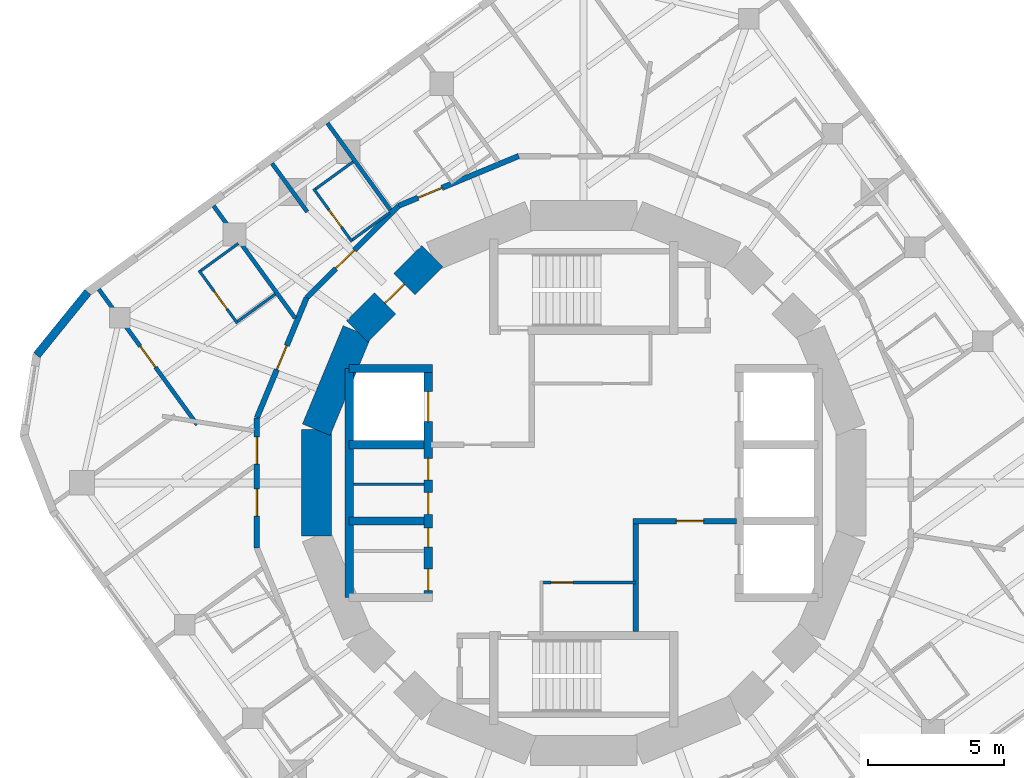
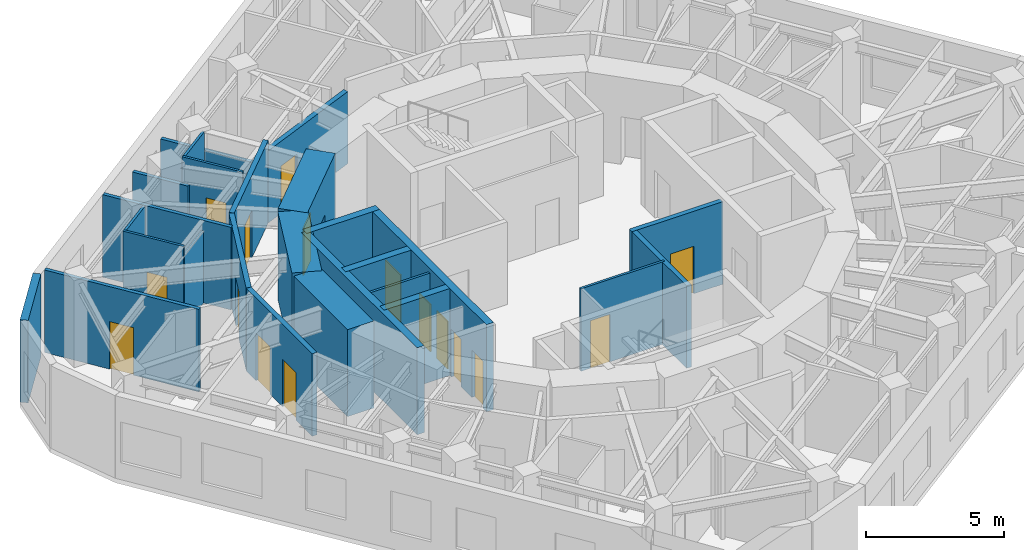
# One storey, part 5 of 9: 27 walls, 16 doors, 16 openings.
"""IFC4 building model written with IfcOpenShell, lengths in metres."""

from ifc_helpers import new_model, si_unit, direction, frame, frame_2d, origin, place, context, subcontext, project, spatial, rectangle, extrude, material, layer, layer_set, type_object, element, fill, save


model = new_model("IFC4")

# Units and contexts
model_context = context("Model", 3, precision=1e-05, world=origin(), true_north=direction((0.0, 1.0)))
body_context = subcontext(model_context, "Body", "Model", "MODEL_VIEW")
ifc_project = project(units=[si_unit("LENGTHUNIT", "METRE"), si_unit("AREAUNIT", "SQUARE_METRE"), si_unit("VOLUMEUNIT", "CUBIC_METRE"), si_unit("PLANEANGLEUNIT", "RADIAN"), si_unit("MASSUNIT", "GRAM", prefix="KILO")], contexts=[model_context])

# Site, building, storey
site_placement = place(None, origin())
site = spatial("IfcSite", under=ifc_project, at=site_placement, CompositionType="ELEMENT")
building_placement = place(site_placement, origin())
building = spatial("IfcBuilding", under=site, at=building_placement, Name="Nakasero Lantern House", CompositionType="ELEMENT")
storey_placement = place(building_placement, frame((0.0, 0.0, 275.300048828125)))
storey = spatial("IfcBuildingStorey", under=building, at=storey_placement, Name="L67", CompositionType="ELEMENT", Elevation=275.300048828125)

# Wall, openings, doors
ifc_material_1 = material(Name="Concrete C50/60", Category="concrete")
ifc_layer_1 = layer(ifc_material_1, 0.300048828125)
ifc_layer_set_1 = layer_set([ifc_layer_1], Name="Core inner wall 300")
wall_type_1 = type_object("IfcWallType", Name="Core inner wall 300", PredefinedType="SHEAR", material=ifc_layer_set_1)
wall_1_placement = place(storey_placement, frame((-5.699951171875, -4.199951171875, 0.0), z_axis=(0.0, 0.0, 1.0), x_axis=(0.0, 1.0, 0.0)))
wall_1 = element("IfcWall", 1, at=wall_1_placement, inside=storey, type_object=wall_type_1, Name="Core inner wall L67 LW", PredefinedType="SHEAR", context=body_context, shape_type="SweptSolid", body=[
    extrude(rectangle(XDim=8.39990234375, YDim=0.300048828125, at=frame_2d((4.199951171875, 0.0))), origin(), (0.0, 0.0, 1.0), 3.849853515625),
])
opening_1_placement = place(wall_1_placement, frame((0.25, 0.0, 0.0)))
opening_1 = element("IfcOpeningElement", 2, at=opening_1_placement, cuts=wall_1, Name="Opening D19", PredefinedType="OPENING", context=body_context, shape_type="SweptSolid", body=[
    extrude(rectangle(XDim=0.800048828125, YDim=2.10009765625, at=frame_2d((0.39990234375, 1.050048828125))), frame((0.0, 0.169921875, 0.0), z_axis=(0.0, -1.0, 0.0), x_axis=(1.0, 0.0, 0.0)), (0.0, 0.0, 1.0), 0.340087890625),
])
opening_2_placement = place(wall_1_placement, frame((1.85009765625, 0.0, 0.0)))
opening_2 = element("IfcOpeningElement", 3, at=opening_2_placement, cuts=wall_1, Name="Opening D20", PredefinedType="OPENING", context=body_context, shape_type="SweptSolid", body=[
    extrude(rectangle(XDim=0.699951171875, YDim=2.10009765625, at=frame_2d((0.35009765625, 1.050048828125))), frame((0.0, 0.169921875, 0.0), z_axis=(0.0, -1.0, 0.0), x_axis=(1.0, 0.0, 0.0)), (0.0, 0.0, 1.0), 0.340087890625),
])
opening_3_placement = place(wall_1_placement, frame((3.050048828125, 0.0, 0.0)))
opening_3 = element("IfcOpeningElement", 4, at=opening_3_placement, cuts=wall_1, Name="Opening D15", PredefinedType="OPENING", context=body_context, shape_type="SweptSolid", body=[
    extrude(rectangle(XDim=0.800048828125, YDim=2.10009765625, at=frame_2d((0.39990234375, 1.050048828125))), frame((0.0, 0.169921875, 0.0), z_axis=(0.0, -1.0, 0.0), x_axis=(1.0, 0.0, 0.0)), (0.0, 0.0, 1.0), 0.340087890625),
])
opening_4_placement = place(wall_1_placement, frame((4.300048828125, 0.0, 0.0)))
opening_4 = element("IfcOpeningElement", 5, at=opening_4_placement, cuts=wall_1, Name="Opening D15", PredefinedType="OPENING", context=body_context, shape_type="SweptSolid", body=[
    extrude(rectangle(XDim=0.800048828125, YDim=2.10009765625, at=frame_2d((0.39990234375, 1.050048828125))), frame((0.0, 0.169921875, 0.0), z_axis=(0.0, -1.0, 0.0), x_axis=(1.0, 0.0, 0.0)), (0.0, 0.0, 1.0), 0.340087890625),
])
opening_5_placement = place(wall_1_placement, frame((6.449951171875, 0.0, 0.0)))
opening_5 = element("IfcOpeningElement", 6, at=opening_5_placement, cuts=wall_1, Name="Opening LD", PredefinedType="OPENING", context=body_context, shape_type="SweptSolid", body=[
    extrude(rectangle(XDim=1.10009765625, YDim=2.10009765625, at=frame_2d((0.550048828125, 1.050048828125))), frame((0.0, 0.169921875, 0.0), z_axis=(0.0, -1.0, 0.0), x_axis=(1.0, 0.0, 0.0)), (0.0, 0.0, 1.0), 0.340087890625),
])
ifc_material_2 = material(Name="Timber C24", Category="wood")
door_type_1 = type_object("IfcDoorType", Name="Cleaner's store door FD30S 700", OperationType="SINGLE_SWING_LEFT", PredefinedType="DOOR", material=ifc_material_2)
door_1_placement = place(opening_2_placement, origin())
door_1 = element("IfcDoor", 7, at=door_1_placement, inside=storey, type_object=door_type_1, Name="Door L67 D-SH-LW1b", OperationType="SINGLE_SWING_LEFT", OverallHeight=2.10009765625, OverallWidth=0.699951171875, PredefinedType="DOOR", context=body_context, shape_type="SweptSolid", body=[
    extrude(rectangle(XDim=0.699951171875, YDim=2.10009765625, at=frame_2d((0.35009765625, 1.050048828125))), frame((0.0, 0.02490234375, 0.0), z_axis=(0.0, -1.0, 0.0), x_axis=(1.0, 0.0, 0.0)), (0.0, 0.0, 1.0), 0.050048828125),
])
fill(opening_2, door_1)
ifc_material_3 = material(Name="Timber C24", Category="wood")
door_type_2 = type_object("IfcDoorType", Name="Cleaner's store door FD30S 800", OperationType="SINGLE_SWING_LEFT", PredefinedType="DOOR", material=ifc_material_3)
door_2_placement = place(opening_3_placement, origin())
door_2 = element("IfcDoor", 8, at=door_2_placement, inside=storey, type_object=door_type_2, Name="Door L67 D-SH-LW2a", OperationType="SINGLE_SWING_LEFT", OverallHeight=2.10009765625, OverallWidth=0.800048828125, PredefinedType="DOOR", context=body_context, shape_type="SweptSolid", body=[
    extrude(rectangle(XDim=0.800048828125, YDim=2.10009765625, at=frame_2d((0.39990234375, 1.050048828125))), frame((0.0, 0.02490234375, 0.0), z_axis=(0.0, -1.0, 0.0), x_axis=(1.0, 0.0, 0.0)), (0.0, 0.0, 1.0), 0.050048828125),
])
fill(opening_3, door_2)
door_3_placement = place(opening_4_placement, origin())
door_3 = element("IfcDoor", 9, at=door_3_placement, inside=storey, type_object=door_type_2, Name="Door L67 D-SH-LW2b", OperationType="SINGLE_SWING_RIGHT", OverallHeight=2.10009765625, OverallWidth=0.800048828125, PredefinedType="DOOR", context=body_context, shape_type="SweptSolid", body=[
    extrude(rectangle(XDim=0.800048828125, YDim=2.10009765625, at=frame_2d((0.39990234375, 1.050048828125))), frame((0.0, 0.02490234375, 0.0), z_axis=(0.0, -1.0, 0.0), x_axis=(1.0, 0.0, 0.0)), (0.0, 0.0, 1.0), 0.050048828125),
])
fill(opening_4, door_3)
ifc_material_4 = material(Name="Steel S355", Category="steel")
door_type_3 = type_object("IfcDoorType", Name="Lift landing door E120 1100", OperationType="SLIDING_TO_LEFT", PredefinedType="DOOR", material=ifc_material_4)
door_4_placement = place(opening_5_placement, origin())
door_4 = element("IfcDoor", 10, at=door_4_placement, inside=storey, type_object=door_type_3, Name="Lift landing door LW3", OperationType="SLIDING_TO_LEFT", OverallHeight=2.10009765625, OverallWidth=1.10009765625, PredefinedType="DOOR", context=body_context, shape_type="SweptSolid", body=[
    extrude(rectangle(XDim=1.10009765625, YDim=2.10009765625, at=frame_2d((0.550048828125, 1.050048828125))), frame((0.0, 0.02490234375, 0.0), z_axis=(0.0, -1.0, 0.0), x_axis=(1.0, 0.0, 0.0)), (0.0, 0.0, 1.0), 0.050048828125),
])
fill(opening_5, door_4)
ifc_material_5 = material(Name="Steel S355", Category="steel")
door_type_4 = type_object("IfcDoorType", Name="Plant room door FD60 800", OperationType="SINGLE_SWING_LEFT", PredefinedType="DOOR", material=ifc_material_5)
door_5_placement = place(opening_1_placement, origin())
door_5 = element("IfcDoor", 11, at=door_5_placement, inside=storey, type_object=door_type_4, Name="Door L67 D-SH-LW1a", OperationType="SINGLE_SWING_LEFT", OverallHeight=2.10009765625, OverallWidth=0.800048828125, PredefinedType="DOOR", context=body_context, shape_type="SweptSolid", body=[
    extrude(rectangle(XDim=0.800048828125, YDim=2.10009765625, at=frame_2d((0.39990234375, 1.050048828125))), frame((0.0, 0.02490234375, 0.0), z_axis=(0.0, -1.0, 0.0), x_axis=(1.0, 0.0, 0.0)), (0.0, 0.0, 1.0), 0.050048828125),
])
fill(opening_1, door_5)

# Walls
wall_2_placement = place(storey_placement, frame((-8.60009765625, 4.199951171875, 0.0), z_axis=(0.0, 0.0, 1.0), x_axis=(1.0, 0.0, 0.0)))
element("IfcWall", 12, at=wall_2_placement, inside=storey, type_object=wall_type_1, Name="Core inner wall L67 LWN", PredefinedType="SHEAR", context=body_context, shape_type="SweptSolid", body=[
    extrude(rectangle(XDim=3.050048828125, YDim=0.300048828125, at=frame_2d((1.52490234375, 0.0))), origin(), (0.0, 0.0, 1.0), 3.849853515625),
])
wall_3_placement = place(storey_placement, frame((-8.60009765625, -4.199951171875, 0.0), z_axis=(0.0, 0.0, 1.0), x_axis=(0.0, 1.0, 0.0)))
element("IfcWall", 13, at=wall_3_placement, inside=storey, type_object=wall_type_1, Name="Core inner wall L67 LWB", PredefinedType="SHEAR", context=body_context, shape_type="SweptSolid", body=[
    extrude(rectangle(XDim=8.39990234375, YDim=0.300048828125, at=frame_2d((4.199951171875, 0.0))), origin(), (0.0, 0.0, 1.0), 3.849853515625),
])
for number, where, z_axis, x_axis, name in (
    (14, (-8.60009765625, -1.39990234375, 0.0), (0.0, 0.0, 1.0), (1.0, 0.0, 0.0), "Core inner wall L67 LW1"),
    (15, (-8.60009765625, 1.39990234375, 0.0), (0.0, 0.0, 1.0), (1.0, 0.0, 0.0), "Core inner wall L67 LW2"),
):
    element("IfcWall", number, at=place(storey_placement, frame(where, z_axis=z_axis, x_axis=x_axis)), inside=storey, type_object=wall_type_1, Name=name, PredefinedType="SHEAR", context=body_context, shape_type="SweptSolid", body=[
        extrude(rectangle(XDim=2.75, YDim=0.300048828125, at=frame_2d((1.375, 0.0))), origin(), (0.0, 0.0, 1.0), 3.849853515625),
    ])

# Wall, opening, door
ifc_material_6 = material(Name="Blockwork", Category="masonry")
ifc_layer_2 = layer(ifc_material_6, 0.10009765625)
ifc_layer_set_2 = layer_set([ifc_layer_2], Name="Core room wall 100")
wall_type_2 = type_object("IfcWallType", Name="Core room wall 100", PredefinedType="PARTITIONING", material=ifc_layer_set_2)
wall_4_placement = place(storey_placement, frame((-1.60009765625, -3.64990234375, 0.0), z_axis=(0.0, 0.0, 1.0), x_axis=(1.0, 0.0, 0.0)))
wall_4 = element("IfcWall", 16, at=wall_4_placement, inside=storey, type_object=wall_type_2, Name="Core room wall L67 CR-SWN", PredefinedType="PARTITIONING", context=body_context, shape_type="SweptSolid", body=[
    extrude(rectangle(XDim=3.5, YDim=0.10009765625, at=frame_2d((1.75, 0.0))), origin(), (0.0, 0.0, 1.0), 3.64990234375),
])
opening_6_placement = place(wall_4_placement, frame((0.39990234375, 0.0, 0.0)))
opening_6 = element("IfcOpeningElement", 17, at=opening_6_placement, cuts=wall_4, Name="Opening D15", PredefinedType="OPENING", context=body_context, shape_type="SweptSolid", body=[
    extrude(rectangle(XDim=0.800048828125, YDim=2.10009765625, at=frame_2d((0.39990234375, 1.050048828125))), frame((0.0, 0.070068359375, 0.0), z_axis=(0.0, -1.0, 0.0), x_axis=(1.0, 0.0, 0.0)), (0.0, 0.0, 1.0), 0.14013671875),
])
door_6_placement = place(opening_6_placement, origin())
door_6 = element("IfcDoor", 18, at=door_6_placement, inside=storey, type_object=door_type_2, Name="Door L67 D-CR-SW", OperationType="SINGLE_SWING_LEFT", OverallHeight=2.10009765625, OverallWidth=0.800048828125, PredefinedType="DOOR", context=body_context, shape_type="SweptSolid", body=[
    extrude(rectangle(XDim=0.800048828125, YDim=2.10009765625, at=frame_2d((0.39990234375, 1.050048828125))), frame((0.0, 0.02490234375, 0.0), z_axis=(0.0, -1.0, 0.0), x_axis=(1.0, 0.0, 0.0)), (0.0, 0.0, 1.0), 0.050048828125),
])
fill(opening_6, door_6)

# Wall
wall_5_placement = place(storey_placement, frame((-8.449951171875, -0.050048828125, 0.0), z_axis=(0.0, 0.0, 1.0), x_axis=(1.0, 0.0, 0.0)))
element("IfcWall", 19, at=wall_5_placement, inside=storey, type_object=wall_type_2, Name="Core room wall L67 CR-SH-LW2b", PredefinedType="PARTITIONING", context=body_context, shape_type="SweptSolid", body=[
    extrude(rectangle(XDim=2.599853515625, YDim=0.10009765625, at=frame_2d((1.2998046875, 0.0))), origin(), (0.0, 0.0, 1.0), 3.64990234375),
])

# Wall, opening, door
ifc_material_7 = material(Name="Concrete C50/60", Category="concrete")
ifc_layer_3 = layer(ifc_material_7, 1.10009765625)
ifc_layer_set_3 = layer_set([ifc_layer_3], Name="Core wall 1100")
wall_type_3 = type_object("IfcWallType", Name="Core wall 1100", PredefinedType="SHEAR", material=ifc_layer_set_3)
wall_6_placement = place(storey_placement, frame((-5.5556640625, 8.314697265625, 0.0), z_axis=(0.0, 0.0, 1.0), x_axis=(-0.707106781187, -0.707106781187, 0.0)))
wall_6 = element("IfcWall", 20, at=wall_6_placement, inside=storey, type_object=wall_type_3, Name="Core wall L67 facet 6", PredefinedType="SHEAR", context=body_context, shape_type="SweptSolid", body=[
    extrude(rectangle(XDim=3.90185546875, YDim=1.10009765625, at=frame_2d((1.950927734375, 0.0))), origin(), (0.0, 0.0, 1.0), 3.849853515625),
])
opening_7_placement = place(wall_6_placement, frame((1.450927734375, 0.0, 0.0)))
opening_7 = element("IfcOpeningElement", 21, at=opening_7_placement, cuts=wall_6, Name="Opening D05", PredefinedType="OPENING", context=body_context, shape_type="SweptSolid", body=[
    extrude(rectangle(XDim=1.0, YDim=2.10009765625, at=frame_2d((0.5, 1.050048828125))), frame((0.0, 0.570068359375, 0.0), z_axis=(0.0, -1.0, 0.0), x_axis=(1.0, 0.0, 0.0)), (0.0, 0.0, 1.0), 1.14013671875),
])
ifc_material_8 = material(Name="Timber C24", Category="wood")
door_type_5 = type_object("IfcDoorType", Name="Core door FD60S 1000", OperationType="SINGLE_SWING_LEFT", PredefinedType="DOOR", material=ifc_material_8)
door_7_placement = place(opening_7_placement, origin())
door_7 = element("IfcDoor", 22, at=door_7_placement, inside=storey, type_object=door_type_5, Name="Door L67 D-CORE06", OperationType="SINGLE_SWING_LEFT", OverallHeight=2.10009765625, OverallWidth=1.0, PredefinedType="DOOR", context=body_context, shape_type="SweptSolid", body=[
    extrude(rectangle(XDim=1.0, YDim=2.10009765625, at=frame_2d((0.5, 1.050048828125))), frame((0.0, 0.02490234375, 0.0), z_axis=(0.0, -1.0, 0.0), x_axis=(1.0, 0.0, 0.0)), (0.0, 0.0, 1.0), 0.050048828125),
])
fill(opening_7, door_7)

# Walls
for number, where, z_axis, x_axis, name in (
    (23, (-8.314697265625, 5.5556640625, 0.0), (0.0, 0.0, 1.0), (-0.382690736062, -0.923876507187, 0.0), "Core wall L67 facet 7"),
    (24, (-9.807861328125, 1.950927734375, 0.0), (0.0, 0.0, 1.0), (0.0, -1.0, 0.0), "Core wall L67 facet 8"),
):
    element("IfcWall", number, at=place(storey_placement, frame(where, z_axis=z_axis, x_axis=x_axis)), inside=storey, type_object=wall_type_3, Name=name, PredefinedType="SHEAR", context=body_context, shape_type="SweptSolid", body=[
        extrude(rectangle(XDim=3.90185546875, YDim=1.10009765625, at=frame_2d((1.950927734375, 0.0))), origin(), (0.0, 0.0, 1.0), 3.849853515625),
    ])

# Wall, openings, doors
ifc_material_9 = material(Name="Blockwork", Category="masonry")
ifc_layer_4 = layer(ifc_material_9, 0.199951171875)
ifc_layer_set_4 = layer_set([ifc_layer_4], Name="Corridor wall 200")
wall_type_4 = type_object("IfcWallType", Name="Corridor wall 200", PredefinedType="PARTITIONING", material=ifc_layer_set_4)
wall_7_placement = place(storey_placement, frame((-11.98779296875, -2.384521484375, 0.0), z_axis=(0.0, 0.0, 1.0), x_axis=(0.0, 1.0, 0.0)))
wall_7 = element("IfcWall", 25, at=wall_7_placement, inside=storey, type_object=wall_type_4, Name="Corridor wall L67 RC08a", PredefinedType="PARTITIONING", context=body_context, shape_type="SweptSolid", body=[
    extrude(rectangle(XDim=4.76904296875, YDim=0.199951171875, at=frame_2d((2.384521484375, 0.0))), origin(), (0.0, 0.0, 1.0), 3.64990234375),
])
opening_8_placement = place(wall_7_placement, frame((3.070068359375, 0.0, 0.0)))
opening_8 = element("IfcOpeningElement", 26, at=opening_8_placement, cuts=wall_7, Name="Opening D03", PredefinedType="OPENING", context=body_context, shape_type="SweptSolid", body=[
    extrude(rectangle(XDim=1.0, YDim=2.10009765625, at=frame_2d((0.5, 1.050048828125))), frame((0.0, 0.119873046875, 0.0), z_axis=(0.0, -1.0, 0.0), x_axis=(1.0, 0.0, 0.0)), (0.0, 0.0, 1.0), 0.239990234375),
])
opening_9_placement = place(wall_7_placement, frame((1.169921875, 0.0, 0.0)))
opening_9 = element("IfcOpeningElement", 27, at=opening_9_placement, cuts=wall_7, Name="Opening D03", PredefinedType="OPENING", context=body_context, shape_type="SweptSolid", body=[
    extrude(rectangle(XDim=1.0, YDim=2.10009765625, at=frame_2d((0.5, 1.050048828125))), frame((0.0, 0.119873046875, 0.0), z_axis=(0.0, -1.0, 0.0), x_axis=(1.0, 0.0, 0.0)), (0.0, 0.0, 1.0), 0.239990234375),
])
ifc_material_10 = material(Name="Timber C24", Category="wood")
door_type_6 = type_object("IfcDoorType", Name="Lounge door FD30S 1000", OperationType="SINGLE_SWING_LEFT", PredefinedType="DOOR", material=ifc_material_10)
door_8_placement = place(opening_8_placement, origin())
door_8 = element("IfcDoor", 28, at=door_8_placement, inside=storey, type_object=door_type_6, Name="Door L67 DK2", OperationType="SINGLE_SWING_RIGHT", OverallHeight=2.10009765625, OverallWidth=1.0, PredefinedType="DOOR", context=body_context, shape_type="SweptSolid", body=[
    extrude(rectangle(XDim=1.0, YDim=2.10009765625, at=frame_2d((0.5, 1.050048828125))), frame((0.0, 0.02490234375, 0.0), z_axis=(0.0, -1.0, 0.0), x_axis=(1.0, 0.0, 0.0)), (0.0, 0.0, 1.0), 0.050048828125),
])
fill(opening_8, door_8)
door_9_placement = place(opening_9_placement, origin())
door_9 = element("IfcDoor", 29, at=door_9_placement, inside=storey, type_object=door_type_6, Name="Door L67 DK2-1", OperationType="SINGLE_SWING_LEFT", OverallHeight=2.10009765625, OverallWidth=1.0, PredefinedType="DOOR", context=body_context, shape_type="SweptSolid", body=[
    extrude(rectangle(XDim=1.0, YDim=2.10009765625, at=frame_2d((0.5, 1.050048828125))), frame((0.0, 0.02490234375, 0.0), z_axis=(0.0, -1.0, 0.0), x_axis=(1.0, 0.0, 0.0)), (0.0, 0.0, 1.0), 0.050048828125),
])
fill(opening_9, door_9)

# Wall, opening, door
wall_8_placement = place(storey_placement, frame((-11.98779296875, 2.384521484375, 0.0), z_axis=(0.0, 0.0, 1.0), x_axis=(0.382669792111, 0.923885182372, 0.0)))
wall_8 = element("IfcWall", 30, at=wall_8_placement, inside=storey, type_object=wall_type_4, Name="Corridor wall L67 RC09a", PredefinedType="PARTITIONING", context=body_context, shape_type="SweptSolid", body=[
    extrude(rectangle(XDim=4.76904296875, YDim=0.199951171875, at=frame_2d((2.384521484375, 0.0))), origin(), (0.0, 0.0, 1.0), 3.64990234375),
])
opening_10_placement = place(wall_8_placement, frame((1.919921875, 0.0, 0.0)))
opening_10 = element("IfcOpeningElement", 31, at=opening_10_placement, cuts=wall_8, Name="Opening D01", PredefinedType="OPENING", context=body_context, shape_type="SweptSolid", body=[
    extrude(rectangle(XDim=0.949951171875, YDim=2.10009765625, at=frame_2d((0.47509765625, 1.050048828125))), frame((0.0, 0.119873046875, 0.0), z_axis=(0.0, -1.0, 0.0), x_axis=(1.0, 0.0, 0.0)), (0.0, 0.0, 1.0), 0.239990234375),
])
ifc_material_11 = material(Name="Timber C24", Category="wood")
door_type_7 = type_object("IfcDoorType", Name="Bedroom door FD30S 950", OperationType="SINGLE_SWING_LEFT", PredefinedType="DOOR", material=ifc_material_11)
door_10_placement = place(opening_10_placement, origin())
door_10 = element("IfcDoor", 32, at=door_10_placement, inside=storey, type_object=door_type_7, Name="Door L67 D1-06", OperationType="SINGLE_SWING_RIGHT", OverallHeight=2.10009765625, OverallWidth=0.949951171875, PredefinedType="DOOR", context=body_context, shape_type="SweptSolid", body=[
    extrude(rectangle(XDim=0.949951171875, YDim=2.10009765625, at=frame_2d((0.47509765625, 1.050048828125))), frame((0.0, 0.02490234375, 0.0), z_axis=(0.0, -1.0, 0.0), x_axis=(1.0, 0.0, 0.0)), (0.0, 0.0, 1.0), 0.050048828125),
])
fill(opening_10, door_10)

wall_9_placement = place(storey_placement, frame((-10.162841796875, 6.79052734375, 0.0), z_axis=(0.0, 0.0, 1.0), x_axis=(0.707106781187, 0.707106781187, 0.0)))
wall_9 = element("IfcWall", 33, at=wall_9_placement, inside=storey, type_object=wall_type_4, Name="Corridor wall L67 RC10a", PredefinedType="PARTITIONING", context=body_context, shape_type="SweptSolid", body=[
    extrude(rectangle(XDim=4.769287109375, YDim=0.199951171875, at=frame_2d((2.384765625, 0.0))), origin(), (0.0, 0.0, 1.0), 3.64990234375),
])
opening_11_placement = place(wall_9_placement, frame((1.52001953125, 0.0, 0.0)))
opening_11 = element("IfcOpeningElement", 34, at=opening_11_placement, cuts=wall_9, Name="Opening D01", PredefinedType="OPENING", context=body_context, shape_type="SweptSolid", body=[
    extrude(rectangle(XDim=0.949951171875, YDim=2.10009765625, at=frame_2d((0.47509765625, 1.050048828125))), frame((0.0, 0.119873046875, 0.0), z_axis=(0.0, -1.0, 0.0), x_axis=(1.0, 0.0, 0.0)), (0.0, 0.0, 1.0), 0.239990234375),
])
door_11_placement = place(opening_11_placement, origin())
door_11 = element("IfcDoor", 35, at=door_11_placement, inside=storey, type_object=door_type_7, Name="Door L67 D1-04", OperationType="SINGLE_SWING_LEFT", OverallHeight=2.10009765625, OverallWidth=0.949951171875, PredefinedType="DOOR", context=body_context, shape_type="SweptSolid", body=[
    extrude(rectangle(XDim=0.949951171875, YDim=2.10009765625, at=frame_2d((0.47509765625, 1.050048828125))), frame((0.0, 0.02490234375, 0.0), z_axis=(0.0, -1.0, 0.0), x_axis=(1.0, 0.0, 0.0)), (0.0, 0.0, 1.0), 0.050048828125),
])
fill(opening_11, door_11)

wall_10_placement = place(storey_placement, frame((-6.79052734375, 10.162841796875, 0.0), z_axis=(0.0, 0.0, 1.0), x_axis=(0.923885182372, 0.382669792111, 0.0)))
wall_10 = element("IfcWall", 36, at=wall_10_placement, inside=storey, type_object=wall_type_4, Name="Corridor wall L67 RC11a", PredefinedType="PARTITIONING", context=body_context, shape_type="SweptSolid", body=[
    extrude(rectangle(XDim=4.76904296875, YDim=0.199951171875, at=frame_2d((2.384521484375, 0.0))), origin(), (0.0, 0.0, 1.0), 3.18994140625),
])
opening_12_placement = place(wall_10_placement, frame((0.77001953125, 0.0, 0.0)))
opening_12 = element("IfcOpeningElement", 37, at=opening_12_placement, cuts=wall_10, Name="Opening D01", PredefinedType="OPENING", context=body_context, shape_type="SweptSolid", body=[
    extrude(rectangle(XDim=0.949951171875, YDim=2.10009765625, at=frame_2d((0.47509765625, 1.050048828125))), frame((0.0, 0.119873046875, 0.0), z_axis=(0.0, -1.0, 0.0), x_axis=(1.0, 0.0, 0.0)), (0.0, 0.0, 1.0), 0.239990234375),
])
door_12_placement = place(opening_12_placement, origin())
door_12 = element("IfcDoor", 38, at=door_12_placement, inside=storey, type_object=door_type_7, Name="Door L67 D1-03", OperationType="SINGLE_SWING_LEFT", OverallHeight=2.10009765625, OverallWidth=0.949951171875, PredefinedType="DOOR", context=body_context, shape_type="SweptSolid", body=[
    extrude(rectangle(XDim=0.949951171875, YDim=2.10009765625, at=frame_2d((0.47509765625, 1.050048828125))), frame((0.0, 0.02490234375, 0.0), z_axis=(0.0, -1.0, 0.0), x_axis=(1.0, 0.0, 0.0)), (0.0, 0.0, 1.0), 0.050048828125),
])
fill(opening_12, door_12)

ifc_material_12 = material(Name="Blockwork", Category="masonry")
ifc_layer_5 = layer(ifc_material_12, 0.10009765625)
ifc_layer_set_5 = layer_set([ifc_layer_5], Name="En-suite wall 100")
wall_type_5 = type_object("IfcWallType", Name="En-suite wall 100", PredefinedType="PARTITIONING", material=ifc_layer_set_5)
wall_11_placement = place(storey_placement, frame((-8.495849609375, 8.846435546875, 0.0), z_axis=(0.0, 0.0, 1.0), x_axis=(-0.587772420479, 0.809026317077, 0.0)))
wall_11 = element("IfcWall", 39, at=wall_11_placement, inside=storey, type_object=wall_type_5, Name="En-suite wall L67 ES1-04", PredefinedType="PARTITIONING", context=body_context, shape_type="SweptSolid", body=[
    extrude(rectangle(XDim=2.39990234375, YDim=0.10009765625, at=frame_2d((1.199951171875, 0.0))), origin(), (0.0, 0.0, 1.0), 3.64990234375),
])
opening_13_placement = place(wall_11_placement, frame((0.64990234375, 0.0, 0.0)))
opening_13 = element("IfcOpeningElement", 40, at=opening_13_placement, cuts=wall_11, Name="Opening D02", PredefinedType="OPENING", context=body_context, shape_type="SweptSolid", body=[
    extrude(rectangle(XDim=0.800048828125, YDim=2.10009765625, at=frame_2d((0.39990234375, 1.050048828125))), frame((0.0, 0.070068359375, 0.0), z_axis=(0.0, -1.0, 0.0), x_axis=(1.0, 0.0, 0.0)), (0.0, 0.0, 1.0), 0.14013671875),
])
ifc_material_13 = material(Name="Timber C24", Category="wood")
door_type_8 = type_object("IfcDoorType", Name="En-suite door 800", OperationType="SINGLE_SWING_RIGHT", PredefinedType="DOOR", material=ifc_material_13)
door_13_placement = place(opening_13_placement, origin())
door_13 = element("IfcDoor", 41, at=door_13_placement, inside=storey, type_object=door_type_8, Name="Door L67 DE1-04", OperationType="SINGLE_SWING_LEFT", OverallHeight=2.10009765625, OverallWidth=0.800048828125, PredefinedType="DOOR", context=body_context, shape_type="SweptSolid", body=[
    extrude(rectangle(XDim=0.800048828125, YDim=2.10009765625, at=frame_2d((0.39990234375, 1.050048828125))), frame((0.0, 0.02490234375, 0.0), z_axis=(0.0, -1.0, 0.0), x_axis=(1.0, 0.0, 0.0)), (0.0, 0.0, 1.0), 0.050048828125),
])
fill(opening_13, door_13)

# Walls
wall_12_placement = place(storey_placement, frame((-8.461181640625, 11.7763671875, 0.0), z_axis=(0.0, 0.0, 1.0), x_axis=(-0.809040252033, -0.58775323954, 0.0)))
element("IfcWall", 42, at=wall_12_placement, inside=storey, type_object=wall_type_5, Name="En-suite wall L67 EE1-04", PredefinedType="PARTITIONING", context=body_context, shape_type="SweptSolid", body=[
    extrude(rectangle(XDim=1.7001953125, YDim=0.10009765625, at=frame_2d((0.85009765625, 0.0))), origin(), (0.0, 0.0, 1.0), 3.64990234375),
])
wall_13_placement = place(storey_placement, frame((-7.109375, 9.91552734375, 0.0), z_axis=(0.0, 0.0, 1.0), x_axis=(-0.808990636343, -0.587821529301, 0.0)))
element("IfcWall", 43, at=wall_13_placement, inside=storey, type_object=wall_type_5, Name="En-suite wall L67 EI1-04", PredefinedType="PARTITIONING", context=body_context, shape_type="SweptSolid", body=[
    extrude(rectangle(XDim=1.699951171875, YDim=0.10009765625, at=frame_2d((0.85009765625, 0.0))), origin(), (0.0, 0.0, 1.0), 3.18994140625),
])

# Wall, opening, door
wall_14_placement = place(storey_placement, frame((-12.7001953125, 5.852783203125, 0.0), z_axis=(0.0, 0.0, 1.0), x_axis=(-0.587772420479, 0.809026317077, 0.0)))
wall_14 = element("IfcWall", 44, at=wall_14_placement, inside=storey, type_object=wall_type_5, Name="En-suite wall L67 ES1-06", PredefinedType="PARTITIONING", context=body_context, shape_type="SweptSolid", body=[
    extrude(rectangle(XDim=2.39990234375, YDim=0.10009765625, at=frame_2d((1.199951171875, 0.0))), origin(), (0.0, 0.0, 1.0), 3.64990234375),
])
opening_14_placement = place(wall_14_placement, frame((0.64990234375, 0.0, 0.0)))
opening_14 = element("IfcOpeningElement", 45, at=opening_14_placement, cuts=wall_14, Name="Opening D02", PredefinedType="OPENING", context=body_context, shape_type="SweptSolid", body=[
    extrude(rectangle(XDim=0.800048828125, YDim=2.10009765625, at=frame_2d((0.39990234375, 1.050048828125))), frame((0.0, 0.070068359375, 0.0), z_axis=(0.0, -1.0, 0.0), x_axis=(1.0, 0.0, 0.0)), (0.0, 0.0, 1.0), 0.14013671875),
])
door_14_placement = place(opening_14_placement, origin())
door_14 = element("IfcDoor", 46, at=door_14_placement, inside=storey, type_object=door_type_8, Name="Door L67 DE1-06", OperationType="SINGLE_SWING_LEFT", OverallHeight=2.10009765625, OverallWidth=0.800048828125, PredefinedType="DOOR", context=body_context, shape_type="SweptSolid", body=[
    extrude(rectangle(XDim=0.800048828125, YDim=2.10009765625, at=frame_2d((0.39990234375, 1.050048828125))), frame((0.0, 0.02490234375, 0.0), z_axis=(0.0, -1.0, 0.0), x_axis=(1.0, 0.0, 0.0)), (0.0, 0.0, 1.0), 0.050048828125),
])
fill(opening_14, door_14)

# Walls
wall_15_placement = place(storey_placement, frame((-12.665771484375, 8.78271484375, 0.0), z_axis=(0.0, 0.0, 1.0), x_axis=(-0.808990636343, -0.587821529301, 0.0)))
element("IfcWall", 47, at=wall_15_placement, inside=storey, type_object=wall_type_5, Name="En-suite wall L67 EE1-06", PredefinedType="PARTITIONING", context=body_context, shape_type="SweptSolid", body=[
    extrude(rectangle(XDim=1.699951171875, YDim=0.10009765625, at=frame_2d((0.85009765625, 0.0))), origin(), (0.0, 0.0, 1.0), 3.64990234375),
])
wall_16_placement = place(storey_placement, frame((-11.313720703125, 6.921875, 0.0), z_axis=(0.0, 0.0, 1.0), x_axis=(-0.809040252033, -0.58775323954, 0.0)))
element("IfcWall", 48, at=wall_16_placement, inside=storey, type_object=wall_type_5, Name="En-suite wall L67 EI1-06", PredefinedType="PARTITIONING", context=body_context, shape_type="SweptSolid", body=[
    extrude(rectangle(XDim=1.7001953125, YDim=0.10009765625, at=frame_2d((0.85009765625, 0.0))), origin(), (0.0, 0.0, 1.0), 3.18994140625),
])
ifc_material_14 = material(Name="Aluminium rainscreen on blockwork", Category="masonry")
ifc_layer_6 = layer(ifc_material_14, 0.300048828125)
ifc_layer_set_6 = layer_set([ifc_layer_6], Name="Facade wall 300")
wall_type_6 = type_object("IfcWallType", Name="Facade wall 300", PredefinedType="SOLIDWALL", material=ifc_layer_set_6)
wall_17_placement = place(storey_placement, frame((-18.185791015625, 6.996826171875, 0.0), z_axis=(0.0, 0.0, 1.0), x_axis=(-0.629375183362, -0.777101588319, 0.0)))
element("IfcWall", 49, at=wall_17_placement, inside=storey, type_object=wall_type_6, Name="Facade wall L67 FW1C1", PredefinedType="SOLIDWALL", context=body_context, shape_type="SweptSolid", body=[
    extrude(rectangle(XDim=2.976318359375, YDim=0.300048828125, at=frame_2d((1.48828125, 0.0))), origin(), (0.0, 0.0, 1.0), 3.64990234375),
])

# Wall, opening, door
ifc_material_15 = material(Name="Blockwork", Category="masonry")
ifc_layer_7 = layer(ifc_material_15, 0.199951171875)
ifc_layer_set_7 = layer_set([ifc_layer_7], Name="Fire lobby wall 200")
wall_type_7 = type_object("IfcWallType", Name="Fire lobby wall 200", PredefinedType="PARTITIONING", material=ifc_layer_set_7)
wall_18_placement = place(storey_placement, frame((5.60009765625, -1.39990234375, 0.0), z_axis=(0.0, 0.0, 1.0), x_axis=(-1.0, 0.0, 0.0)))
wall_18 = element("IfcWall", 50, at=wall_18_placement, inside=storey, type_object=wall_type_7, Name="Fire lobby wall L67 W-FL2N", PredefinedType="PARTITIONING", context=body_context, shape_type="SweptSolid", body=[
    extrude(rectangle(XDim=3.800048828125, YDim=0.199951171875, at=frame_2d((1.89990234375, 0.0))), origin(), (0.0, 0.0, 1.0), 3.64990234375),
])
opening_15_placement = place(wall_18_placement, frame((1.199951171875, 0.0, 0.0)))
opening_15 = element("IfcOpeningElement", 51, at=opening_15_placement, cuts=wall_18, Name="Opening D05", PredefinedType="OPENING", context=body_context, shape_type="SweptSolid", body=[
    extrude(rectangle(XDim=1.0, YDim=2.10009765625, at=frame_2d((0.5, 1.050048828125))), frame((0.0, 0.119873046875, 0.0), z_axis=(0.0, -1.0, 0.0), x_axis=(1.0, 0.0, 0.0)), (0.0, 0.0, 1.0), 0.239990234375),
])
door_15_placement = place(opening_15_placement, origin())
door_15 = element("IfcDoor", 52, at=door_15_placement, inside=storey, type_object=door_type_5, Name="Door L67 D-FL2", OperationType="SINGLE_SWING_LEFT", OverallHeight=2.10009765625, OverallWidth=1.0, PredefinedType="DOOR", context=body_context, shape_type="SweptSolid", body=[
    extrude(rectangle(XDim=1.0, YDim=2.10009765625, at=frame_2d((0.5, 1.050048828125))), frame((0.0, 0.02490234375, 0.0), z_axis=(0.0, -1.0, 0.0), x_axis=(1.0, 0.0, 0.0)), (0.0, 0.0, 1.0), 0.050048828125),
])
fill(opening_15, door_15)

# Walls
wall_19_placement = place(storey_placement, frame((1.89990234375, -1.5, 0.0), z_axis=(0.0, 0.0, 1.0), x_axis=(0.0, -1.0, 0.0)))
element("IfcWall", 53, at=wall_19_placement, inside=storey, type_object=wall_type_7, Name="Fire lobby wall L67 W-FL2W", PredefinedType="PARTITIONING", context=body_context, shape_type="SweptSolid", body=[
    extrude(rectangle(XDim=3.949951171875, YDim=0.199951171875, at=frame_2d((1.97509765625, 0.0))), origin(), (0.0, 0.0, 1.0), 3.64990234375),
])
ifc_material_16 = material(Name="Blockwork", Category="masonry")
ifc_layer_8 = layer(ifc_material_16, 0.14990234375)
ifc_layer_set_8 = layer_set([ifc_layer_8], Name="Party wall 150")
wall_type_8 = type_object("IfcWallType", Name="Party wall 150", PredefinedType="PARTITIONING", material=ifc_layer_set_8)
wall_20_placement = place(storey_placement, frame((-10.13818359375, 9.939208984375, 0.0), z_axis=(0.0, 0.0, 1.0), x_axis=(-0.587821928992, 0.808990345923, 0.0)))
element("IfcWall", 54, at=wall_20_placement, inside=storey, type_object=wall_type_8, Name="Party wall L67 PN1-05", PredefinedType="PARTITIONING", context=body_context, shape_type="SweptSolid", body=[
    extrude(rectangle(XDim=2.199951171875, YDim=0.14990234375, at=frame_2d((1.10009765625, 0.0))), origin(), (0.0, 0.0, 1.0), 2.95703125),
])
wall_21_placement = place(storey_placement, frame((-7.085205078125, 10.009765625, 0.0), z_axis=(0.0, 0.0, 1.0), x_axis=(-0.587777120537, 0.809022902379, 0.0)))
element("IfcWall", 55, at=wall_21_placement, inside=storey, type_object=wall_type_8, Name="Party wall L67 PW1-04", PredefinedType="PARTITIONING", context=body_context, shape_type="SweptSolid", body=[
    extrude(rectangle(XDim=3.937255859375, YDim=0.14990234375, at=frame_2d((1.96875, 0.0))), origin(), (0.0, 0.0, 1.0), 2.809326171875),
])
wall_22_placement = place(storey_placement, frame((-10.581298828125, 6.04150390625, 0.0), z_axis=(0.0, 0.0, 1.0), x_axis=(-0.587812495358, 0.808997200429, 0.0)))
element("IfcWall", 56, at=wall_22_placement, inside=storey, type_object=wall_type_8, Name="Party wall L67 PW1-06", PredefinedType="PARTITIONING", context=body_context, shape_type="SweptSolid", body=[
    extrude(rectangle(XDim=5.0927734375, YDim=0.14990234375, at=frame_2d((2.54638671875, 0.0))), origin(), (0.0, 0.0, 1.0), 3.64990234375),
])

# Wall, opening, door
wall_23_placement = place(storey_placement, frame((-14.1767578125, 2.137939453125, 0.0), z_axis=(0.0, 0.0, 1.0), x_axis=(-0.587774266883, 0.809024975628, 0.0)))
wall_23 = element("IfcWall", 57, at=wall_23_placement, inside=storey, type_object=wall_type_8, Name="Party wall L67 PW1-07", PredefinedType="PARTITIONING", context=body_context, shape_type="SweptSolid", body=[
    extrude(rectangle(XDim=6.137451171875, YDim=0.14990234375, at=frame_2d((3.06884765625, 0.0))), origin(), (0.0, 0.0, 1.0), 3.64990234375),
])
opening_16_placement = place(wall_23_placement, frame((2.60009765625, 0.0, 0.0)))
opening_16 = element("IfcOpeningElement", 58, at=opening_16_placement, cuts=wall_23, Name="Opening D01", PredefinedType="OPENING", context=body_context, shape_type="SweptSolid", body=[
    extrude(rectangle(XDim=0.949951171875, YDim=2.10009765625, at=frame_2d((0.47509765625, 1.050048828125))), frame((0.0, 0.094970703125, 0.0), z_axis=(0.0, -1.0, 0.0), x_axis=(1.0, 0.0, 0.0)), (0.0, 0.0, 1.0), 0.18994140625),
])
door_16_placement = place(opening_16_placement, origin())
door_16 = element("IfcDoor", 59, at=door_16_placement, inside=storey, type_object=door_type_7, Name="Door L67 DC1", OperationType="SINGLE_SWING_RIGHT", OverallHeight=2.10009765625, OverallWidth=0.949951171875, PredefinedType="DOOR", context=body_context, shape_type="SweptSolid", body=[
    extrude(rectangle(XDim=0.949951171875, YDim=2.10009765625, at=frame_2d((0.47509765625, 1.050048828125))), frame((0.0, 0.02490234375, 0.0), z_axis=(0.0, -1.0, 0.0), x_axis=(1.0, 0.0, 0.0)), (0.0, 0.0, 1.0), 0.050048828125),
])
fill(opening_16, door_16)

save(model, "model.ifc")
